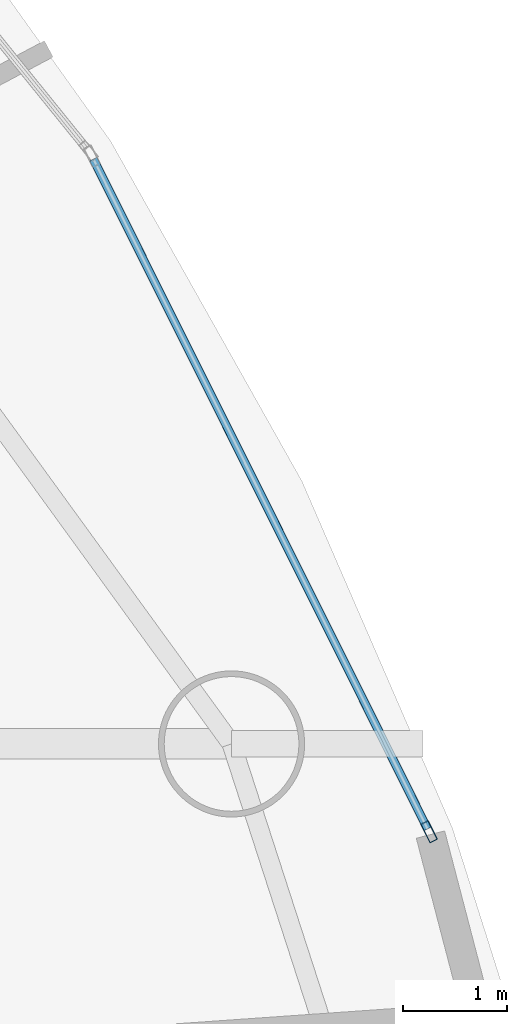
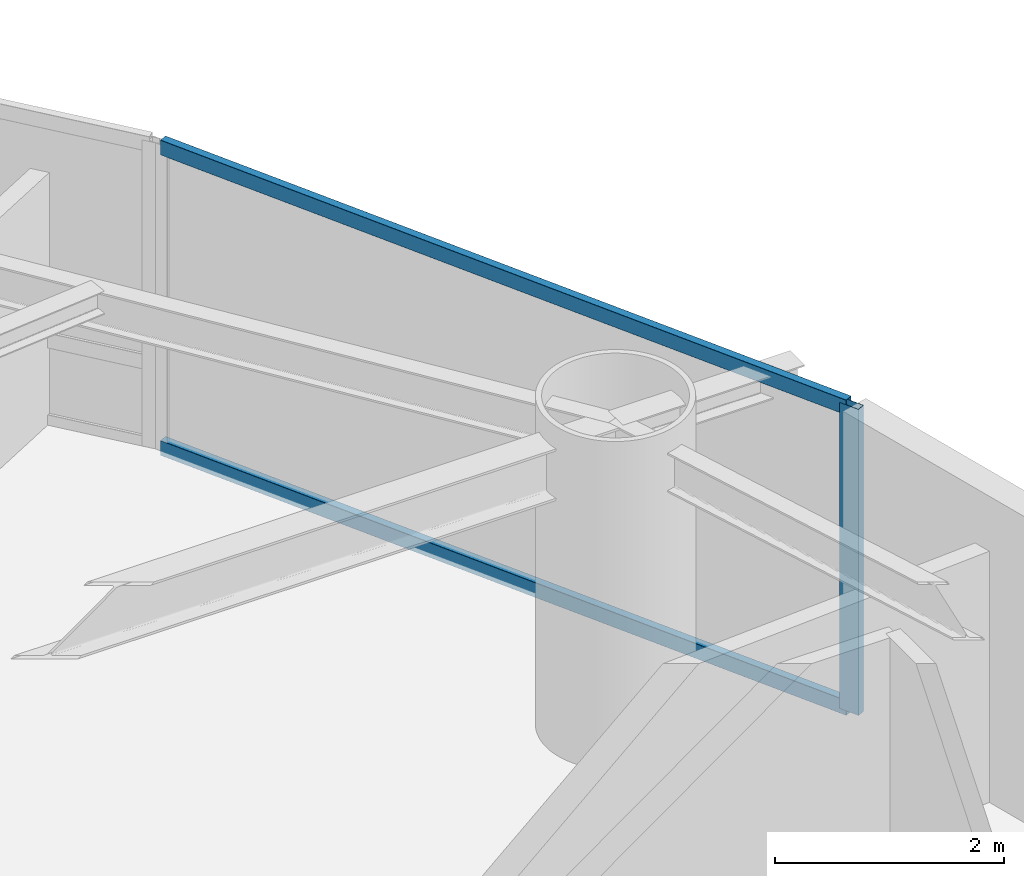
# One storey, part 9 of 24: 3 members, 1 element without a shape of its own.
"""IFC4 building model written with IfcOpenShell, lengths in metres."""

from ifc_helpers import new_model, si_unit, direction, frame, origin, origin_2d, place, context, subcontext, project, spatial, hollow_rectangle, extrude, material, layer, layer_set, material_profile, profile_set, type_object, element, aggregate, save


model = new_model("IFC4")

# Units and contexts
model_context = context("Model", 3, precision=1e-05, world=origin(), true_north=direction((0.0, 1.0)))
body_context = subcontext(model_context, "Body", "Model", "MODEL_VIEW")
ifc_project = project(units=[si_unit("LENGTHUNIT", "METRE"), si_unit("AREAUNIT", "SQUARE_METRE"), si_unit("VOLUMEUNIT", "CUBIC_METRE"), si_unit("PLANEANGLEUNIT", "RADIAN"), si_unit("MASSUNIT", "GRAM", prefix="KILO")], contexts=[model_context])

# Site, building, storey
site_placement = place(None, origin())
site = spatial("IfcSite", under=ifc_project, at=site_placement, CompositionType="ELEMENT")
building_placement = place(site_placement, origin())
building = spatial("IfcBuilding", under=site, at=building_placement, Name="Bramvorn Convention Spire", CompositionType="ELEMENT")
storey_placement = place(building_placement, frame((0.0, 0.0, 148.300048828125)))
storey = spatial("IfcBuildingStorey", under=building, at=storey_placement, Name="L37", CompositionType="ELEMENT", Elevation=148.300048828125)

# Curtain wall, members
ifc_material_1 = material(Name="Anodised Bronze Unitised Curtain Wall", Category="aluminium")
ifc_layer = layer(ifc_material_1, 0.179931640625)
ifc_layer_set = layer_set([ifc_layer], Name="Anodised Bronze Unitised Curtain Wall - CW-HTL-FRIT")
curtain_wall_type = type_object("IfcCurtainWallType", Name="CW-HTL-FRIT", PredefinedType="USERDEFINED", material=ifc_layer_set)
curtain_wall_placement = place(storey_placement, origin())
curtain_wall = element("IfcCurtainWall", 1, at=curtain_wall_placement, inside=storey, type_object=curtain_wall_type, Name="L37 fritted glass curtain wall 04", ObjectType="UNITISED CURTAIN WALL", PredefinedType="USERDEFINED")
ifc_material_2 = material(Name="Anodised Bronze Aluminium 6063-T6", Category="aluminium")
ifc_material_profile_1 = material_profile(ifc_material_2, hollow_rectangle(XDim=0.080078125, YDim=0.199951171875, WallThickness=0.00390625, InnerFilletRadius=0.0009765625, OuterFilletRadius=0.00390625, at=origin_2d()))
ifc_profile_set_1 = profile_set([ifc_material_profile_1], Name="Anodised Bronze Aluminium 6063-T6 - CWM80X200")
member_type_1 = type_object("IfcMemberType", Name="CW-MUL-180", PredefinedType="MULLION", material=ifc_profile_set_1)
member_1_placement = place(storey_placement, frame((62.237548828125, 29.451904296875, 0.0), z_axis=(0.0, 0.0, 1.0), x_axis=(0.89474787025, 0.446571661308, 0.0)))
member_1 = element("IfcMember", 2, at=member_1_placement, type_object=member_type_1, Name="CW2 mullion 2", PredefinedType="MULLION", context=body_context, shape_type="SweptSolid", body=[
    extrude(hollow_rectangle(XDim=0.080078125, YDim=0.199951171875, WallThickness=0.00390625, InnerFilletRadius=0.0009765625, OuterFilletRadius=0.00390625, at=origin_2d()), origin(), (0.0, 0.0, 1.0), 3.260009765625),
])
ifc_material_profile_2 = material_profile(ifc_material_2, hollow_rectangle(XDim=0.080078125, YDim=0.159912109375, WallThickness=0.00390625, InnerFilletRadius=0.0009765625, OuterFilletRadius=0.00390625, at=origin_2d()))
ifc_profile_set_2 = profile_set([ifc_material_profile_2], Name="Anodised Bronze Aluminium 6063-T6 - CWT80X160")
member_type_2 = type_object("IfcMemberType", Name="CW-TRN-150", PredefinedType="USERDEFINED", material=ifc_profile_set_2)
member_2_placement = place(storey_placement, frame((59.021484375, 35.895751953125, 0.030029296875), z_axis=(0.446559874206, -0.894753753135, 0.0), x_axis=(0.894753753135, 0.446559874206, 0.0)))
member_2 = element("IfcMember", 3, at=member_2_placement, type_object=member_type_2, Name="CW2 transom 1.1", ObjectType="TRANSOM", PredefinedType="USERDEFINED", context=body_context, shape_type="SweptSolid", body=[
    extrude(hollow_rectangle(XDim=0.080078125, YDim=0.159912109375, WallThickness=0.00390625, InnerFilletRadius=0.0009765625, OuterFilletRadius=0.00390625, at=origin_2d()), origin(), (0.0, 0.0, 1.0), 7.171875),
])
member_3_placement = place(storey_placement, frame((59.021484375, 35.895751953125, 3.22998046875), z_axis=(0.446559874206, -0.894753753135, 0.0), x_axis=(0.894753753135, 0.446559874206, 0.0)))
member_3 = element("IfcMember", 4, at=member_3_placement, type_object=member_type_2, Name="CW2 transom 1.2", ObjectType="TRANSOM", PredefinedType="USERDEFINED", context=body_context, shape_type="SweptSolid", body=[
    extrude(hollow_rectangle(XDim=0.080078125, YDim=0.159912109375, WallThickness=0.00390625, InnerFilletRadius=0.0009765625, OuterFilletRadius=0.00390625, at=origin_2d()), origin(), (0.0, 0.0, 1.0), 7.171875),
])
aggregate(curtain_wall, [member_1, member_2, member_3])

save(model, "model.ifc")
